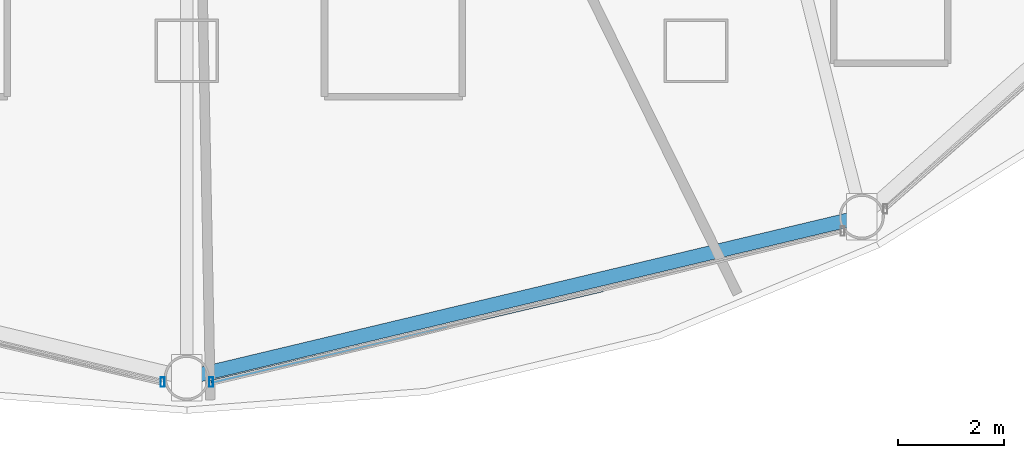
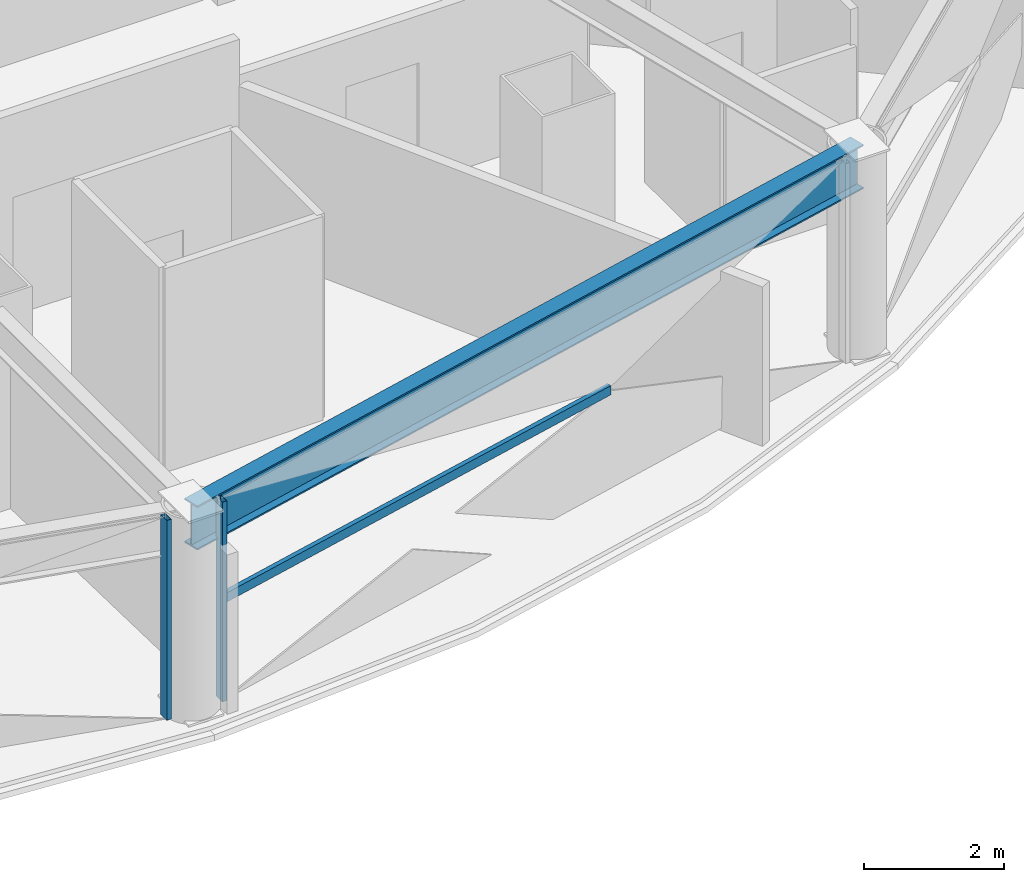
# One storey, part 5 of 31: 3 members, 1 beam, 2 elements without a shape of their own.
"""IFC4 building model written with IfcOpenShell, lengths in metres."""

from ifc_helpers import new_model, si_unit, direction, frame, origin, origin_2d, place, context, subcontext, project, spatial, hollow_rectangle, i_section, extrude, material, layer, layer_set, material_profile, profile_set, type_object, element, aggregate, save


model = new_model("IFC4")

# Units and contexts
model_context = context("Model", 3, precision=1e-05, world=origin(), true_north=direction((0.0, 1.0)))
body_context = subcontext(model_context, "Body", "Model", "MODEL_VIEW")
ifc_project = project(units=[si_unit("LENGTHUNIT", "METRE"), si_unit("AREAUNIT", "SQUARE_METRE"), si_unit("VOLUMEUNIT", "CUBIC_METRE"), si_unit("PLANEANGLEUNIT", "RADIAN"), si_unit("MASSUNIT", "GRAM", prefix="KILO")], contexts=[model_context])

# Site, building, storey
site_placement = place(None, origin())
site = spatial("IfcSite", under=ifc_project, at=site_placement, CompositionType="ELEMENT")
building_placement = place(site_placement, origin())
building = spatial("IfcBuilding", under=site, at=building_placement, Name="Vantalir Tower", CompositionType="ELEMENT")
storey_placement = place(building_placement, frame((0.0, 0.0, 30.75)))
storey = spatial("IfcBuildingStorey", under=building, at=storey_placement, Name="L06", CompositionType="ELEMENT", Elevation=30.75)

# Beam
ifc_material_1 = material(Name="Steel S460", Category="steel")
ifc_material_profile_1 = material_profile(ifc_material_1, i_section(OverallWidth=0.26806640625, OverallDepth=0.77001953125, WebThickness=0.015625, FlangeThickness=0.025390625, at=origin_2d()), Name="Steel S460")
ifc_profile_set_1 = profile_set([ifc_material_profile_1], Name="Steel S460")
beam_type = type_object("IfcBeamType", Name="BM-RG-762x267", PredefinedType="USERDEFINED", material=ifc_profile_set_1)
beam_placement = place(storey_placement, frame((31.5, 2.3359375, 3.18505859375), z_axis=(0.972696777879, 0.232079680935, 0.0), x_axis=(-0.232079680935, 0.972696777879, 0.0)))
element("IfcBeam", 1, at=beam_placement, inside=storey, type_object=beam_type, Name="L06 Circumferential Ring Girder 10", ObjectType="GIRDER", PredefinedType="USERDEFINED", context=body_context, shape_type="SweptSolid", body=[
    extrude(i_section(OverallWidth=0.26806640625, OverallDepth=0.77001953125, WebThickness=0.015625, FlangeThickness=0.025390625, at=origin_2d()), origin(), (0.0, 0.0, 1.0), 13.082275390625),
])

# Curtain wall, member
ifc_material_2 = material(Name="Champagne-silver PVDF aluminium and double-silver Low-E glass", Category="aluminium")
ifc_layer = layer(ifc_material_2, 0.18994140625)
ifc_layer_set = layer_set([ifc_layer], Name="Champagne-silver PVDF aluminium and double-silver Low-E glass")
curtain_wall_type = type_object("IfcCurtainWallType", Name="CW-DIAMOND-Z1", PredefinedType="USERDEFINED", material=ifc_layer_set)
curtain_wall_1_placement = place(storey_placement, origin())
curtain_wall_1 = element("IfcCurtainWall", 2, at=curtain_wall_1_placement, inside=storey, type_object=curtain_wall_type, Name="L06 Quilted Pyramid-Diamond Curtain Wall S09", ObjectType="UNITISED CURTAIN WALL", PredefinedType="USERDEFINED")
ifc_material_3 = material(Name="Champagne-silver PVDF aluminium 6063-T6", Category="aluminium")
ifc_material_profile_2 = material_profile(ifc_material_3, hollow_rectangle(XDim=0.074951171875, YDim=0.179931640625, WallThickness=0.00390625, at=origin_2d()), Name="Champagne-silver PVDF aluminium 6063-T6")
ifc_profile_set_2 = profile_set([ifc_material_profile_2], Name="Champagne-silver PVDF aluminium 6063-T6")
member_type_1 = type_object("IfcMemberType", Name="CWM-180x75", PredefinedType="MULLION", material=ifc_profile_set_2)
member_1_placement = place(storey_placement, frame((31.04296875, 2.2548828125, 0.044921875), z_axis=(0.0, 0.0, 1.0), x_axis=(1.0, 0.0, 0.0)))
member_1 = element("IfcMember", 3, at=member_1_placement, type_object=member_type_1, Name="CW-L06-S09 Mullion 2", PredefinedType="MULLION", context=body_context, shape_type="SweptSolid", body=[
    extrude(hollow_rectangle(XDim=0.074951171875, YDim=0.179931640625, WallThickness=0.00390625, at=origin_2d()), origin(), (0.0, 0.0, 1.0), 3.47998046875),
])
aggregate(curtain_wall_1, [member_1])

# Curtain wall, members
curtain_wall_2_placement = place(storey_placement, origin())
curtain_wall_2 = element("IfcCurtainWall", 4, at=curtain_wall_2_placement, inside=storey, type_object=curtain_wall_type, Name="L06 Quilted Pyramid-Diamond Curtain Wall S10", ObjectType="UNITISED CURTAIN WALL", PredefinedType="USERDEFINED")
member_2_placement = place(storey_placement, frame((31.95703125, 2.2548828125, 0.044921875), z_axis=(0.0, 0.0, 1.0), x_axis=(1.0, 0.0, 0.0)))
member_2 = element("IfcMember", 5, at=member_2_placement, type_object=member_type_1, Name="CW-L06-S10 Mullion 1", PredefinedType="MULLION", context=body_context, shape_type="SweptSolid", body=[
    extrude(hollow_rectangle(XDim=0.074951171875, YDim=0.179931640625, WallThickness=0.00390625, at=origin_2d()), origin(), (0.0, 0.0, 1.0), 3.47998046875),
])
ifc_material_profile_3 = material_profile(ifc_material_3, hollow_rectangle(XDim=0.074951171875, YDim=0.159912109375, WallThickness=0.00390625, at=origin_2d()), Name="Champagne-silver PVDF aluminium 6063-T6")
ifc_profile_set_3 = profile_set([ifc_material_profile_3], Name="Champagne-silver PVDF aluminium 6063-T6")
member_type_2 = type_object("IfcMemberType", Name="CWT-160x75", PredefinedType="USERDEFINED", material=ifc_profile_set_3)
member_3_placement = place(storey_placement, frame((31.95703125, 2.2548828125, 1.784912109375), z_axis=(0.973346271945, 0.229340434488, 0.0), x_axis=(-0.229340434488, 0.973346271945, 0.0)))
member_3 = element("IfcMember", 6, at=member_3_placement, type_object=member_type_2, Name="CW-L06-S10 Pyramid Fold Ridge Transom", ObjectType="TRANSOM", PredefinedType="USERDEFINED", context=body_context, shape_type="SweptSolid", body=[
    extrude(hollow_rectangle(XDim=0.074951171875, YDim=0.159912109375, WallThickness=0.00390625, at=origin_2d()), origin(), (0.0, 0.0, 1.0), 7.59228515625),
])
aggregate(curtain_wall_2, [member_2, member_3])

save(model, "model.ifc")
